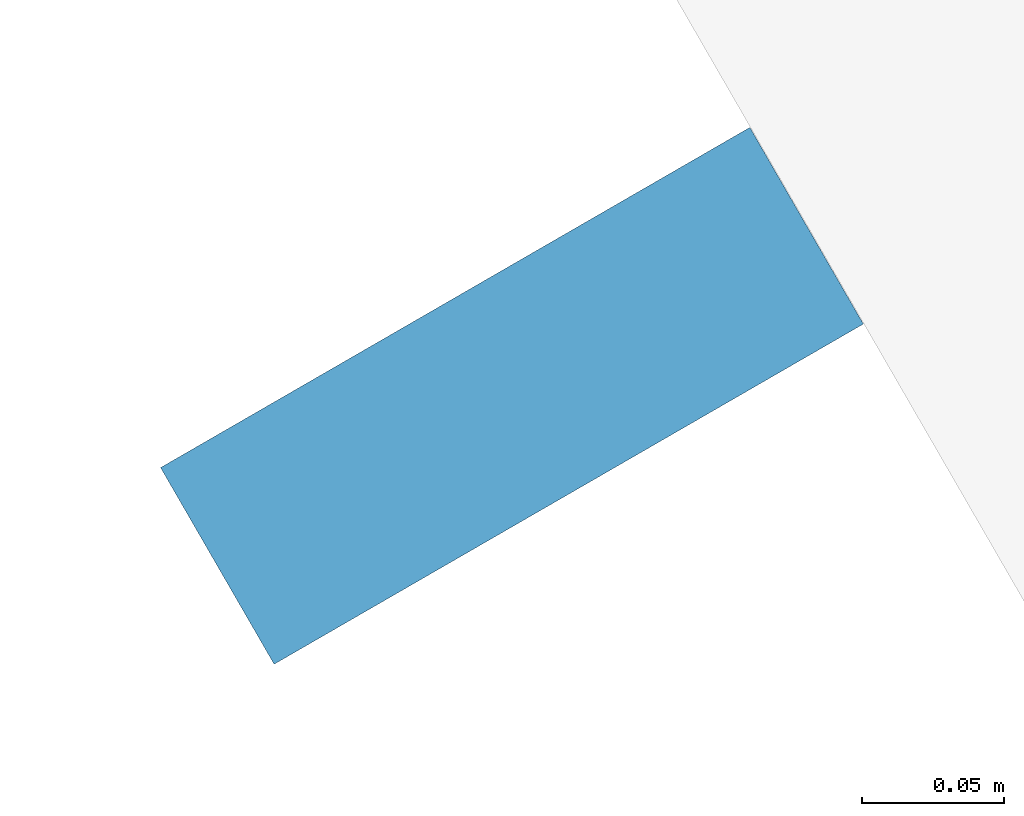
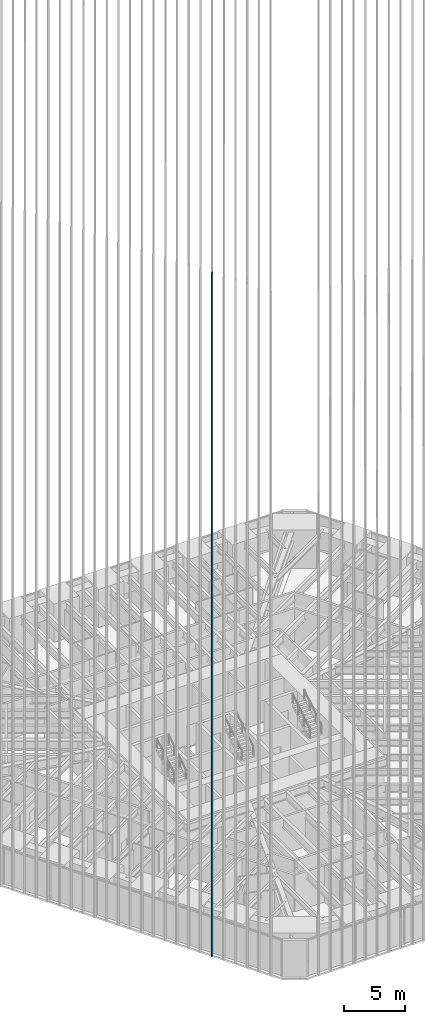
# One storey, part 27 of 256: 1 member, 1 element without a shape of its own.
"""IFC4 building model written with IfcOpenShell, lengths in metres."""

from ifc_helpers import new_model, si_unit, direction, frame, origin, origin_2d, place, context, subcontext, project, spatial, rectangle, extrude, material, material_profile, profile_set, type_object, element, aggregate, save


model = new_model("IFC4")

# Units and contexts
model_context = context("Model", 3, precision=1e-05, world=origin(), true_north=direction((0.0, 1.0)))
body_context = subcontext(model_context, "Body", "Model", "MODEL_VIEW")
ifc_project = project(units=[si_unit("LENGTHUNIT", "METRE"), si_unit("AREAUNIT", "SQUARE_METRE"), si_unit("VOLUMEUNIT", "CUBIC_METRE"), si_unit("PLANEANGLEUNIT", "RADIAN"), si_unit("MASSUNIT", "GRAM", prefix="KILO")], contexts=[model_context])

# Site, building, storey
site_placement = place(None, origin())
site = spatial("IfcSite", under=ifc_project, at=site_placement, CompositionType="ELEMENT")
building_placement = place(site_placement, origin())
building = spatial("IfcBuilding", under=site, at=building_placement, Name="Sandreach Pilgrim Tower", CompositionType="ELEMENT")
storey_placement = place(building_placement, frame((0.0, 0.0, 23.0)))
storey = spatial("IfcBuildingStorey", under=building, at=storey_placement, Name="L04", CompositionType="ELEMENT", Elevation=23.0)

# Curtain wall, member
ifc_material_1 = material(Name="Aluminium framed curtain wall", Category="aluminium")
curtain_wall_type = type_object("IfcCurtainWallType", Name="Hostel tower curtain wall", PredefinedType="NOTDEFINED", material=ifc_material_1)
curtain_wall_placement = place(storey_placement, origin())
curtain_wall = element("IfcCurtainWall", 1, at=curtain_wall_placement, inside=storey, type_object=curtain_wall_type, Name="CW-1 L04 SW", PredefinedType="NOTDEFINED")
ifc_material_2 = material(Name="Extruded terracotta on aluminium core", Category="masonry")
ifc_material_profile = material_profile(ifc_material_2, rectangle(XDim=0.080078125, YDim=0.239990234375, at=origin_2d()), Name="TBW 80X240")
ifc_profile_set = profile_set([ifc_material_profile], Name="Extruded terracotta on aluminium core")
member_type = type_object("IfcMemberType", Name="Terracotta baguette west", PredefinedType="USERDEFINED", material=ifc_profile_set)
member_placement = place(storey_placement, frame((-14.4658203125, -23.68212890625, 0.0), z_axis=(0.0, 0.0, 1.0), x_axis=(-0.5, 0.866025403784, 0.0)))
member = element("IfcMember", 2, at=member_placement, type_object=member_type, Name="Baguette Z1 SW06", ObjectType="BAGUETTE", PredefinedType="USERDEFINED", context=body_context, shape_type="SweptSolid", body=[
    extrude(rectangle(XDim=0.080078125, YDim=0.239990234375, at=origin_2d()), origin(), (0.0, 0.0, 1.0), 68.239990234375),
])
aggregate(curtain_wall, [member])

save(model, "model.ifc")
